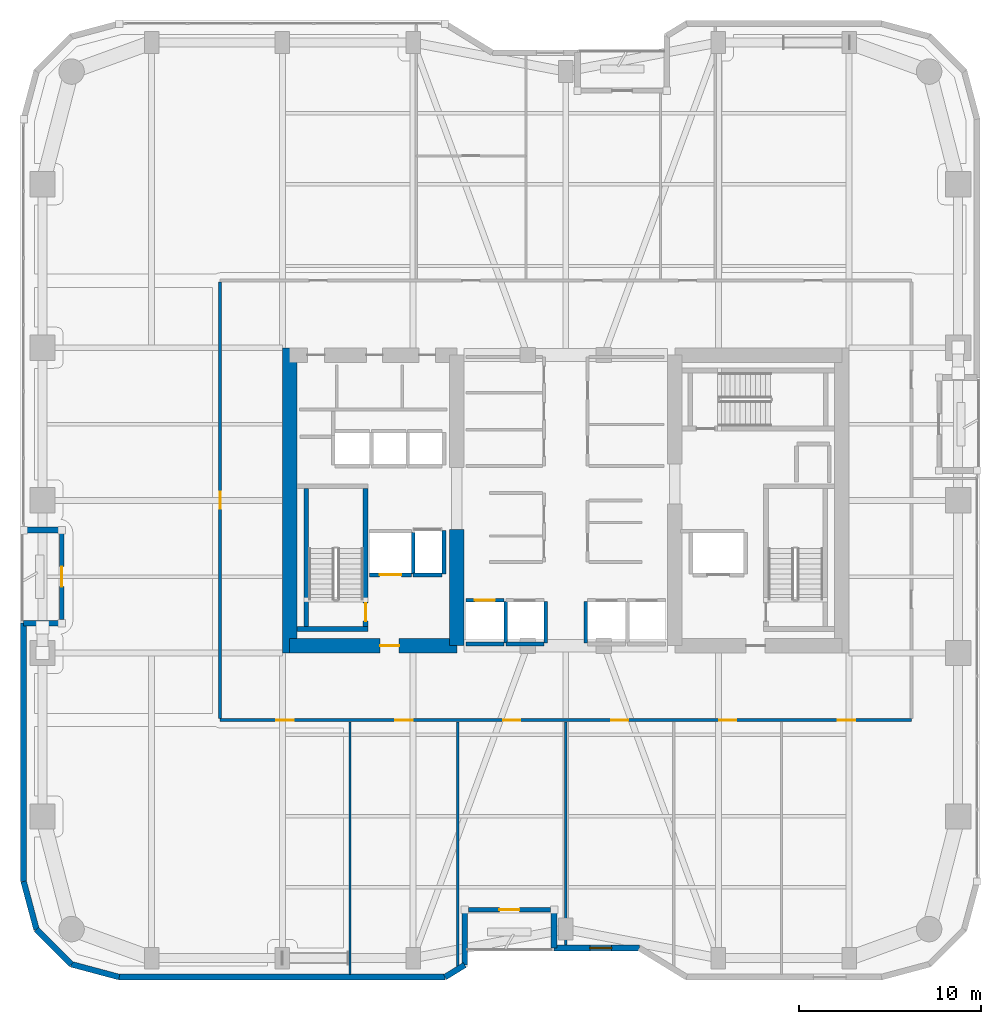
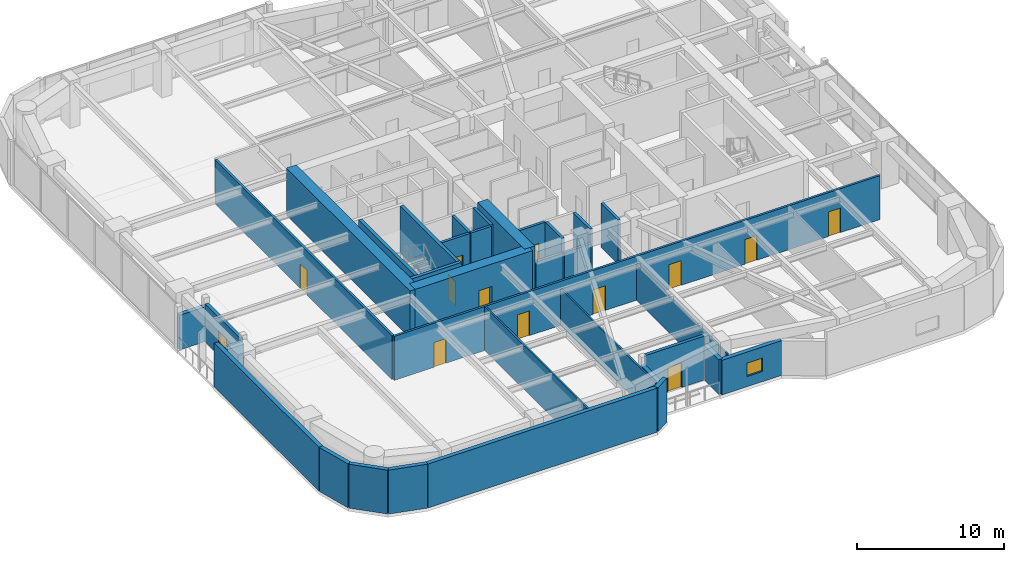
# One storey, part 18 of 24: 34 walls, 13 doors, 1 window, 14 openings.
"""IFC4 building model written with IfcOpenShell, lengths in metres."""

from ifc_helpers import new_model, si_unit, direction, frame, frame_2d, origin, place, context, subcontext, project, spatial, rectangle, extrude, material, layer, layer_set, type_object, element, fill, save


model = new_model("IFC4")

# Units and contexts
model_context = context("Model", 3, precision=1e-05, world=origin(), true_north=direction((0.0, 1.0)))
body_context = subcontext(model_context, "Body", "Model", "MODEL_VIEW")
ifc_project = project(units=[si_unit("LENGTHUNIT", "METRE"), si_unit("AREAUNIT", "SQUARE_METRE"), si_unit("VOLUMEUNIT", "CUBIC_METRE"), si_unit("PLANEANGLEUNIT", "RADIAN"), si_unit("MASSUNIT", "GRAM", prefix="KILO")], contexts=[model_context])

# Site, building, storey
site_placement = place(None, origin())
site = spatial("IfcSite", under=ifc_project, at=site_placement, CompositionType="ELEMENT")
building_placement = place(site_placement, origin())
building = spatial("IfcBuilding", under=site, at=building_placement, Name="Kiyonajd Concourse Tower", CompositionType="ELEMENT")
storey_placement = place(building_placement, frame((0.0, 0.0, 101.39990234375)))
storey = spatial("IfcBuildingStorey", under=building, at=storey_placement, Name="L26", CompositionType="ELEMENT", Elevation=101.39990234375)

# Walls
ifc_material_1 = material(Name="Concrete C70/85", Category="concrete")
ifc_layer_1 = layer(ifc_material_1, 0.800048828125)
ifc_layer_set_1 = layer_set([ifc_layer_1], Name="Concrete C70/85")
wall_type_1 = type_object("IfcWallType", Name="WL-CORE-800", PredefinedType="SHEAR", material=ifc_layer_set_1)
wall_1_placement = place(storey_placement, frame((32.800048828125, 27.60009765625, 0.0), z_axis=(0.0, 0.0, 1.0), x_axis=(0.0, 1.0, 0.0)))
element("IfcWall", 1, at=wall_1_placement, inside=storey, type_object=wall_type_1, Name="L26 West Core Outer Shear Wall", PredefinedType="SHEAR", context=body_context, shape_type="SweptSolid", body=[
    extrude(rectangle(XDim=16.7998046875, YDim=0.800048828125, at=frame_2d((8.39990234375, 0.0))), origin(), (0.0, 0.0, 1.0), 3.900146484375),
])
wall_2_placement = place(storey_placement, frame((42.0, 28.0, 0.0), z_axis=(0.0, 0.0, 1.0), x_axis=(0.0, 1.0, 0.0)))
element("IfcWall", 2, at=wall_2_placement, inside=storey, type_object=wall_type_1, Name="L26 West Core Inner South Shear Wall", PredefinedType="SHEAR", context=body_context, shape_type="SweptSolid", body=[
    extrude(rectangle(XDim=6.39990234375, YDim=0.800048828125, at=frame_2d((3.199951171875, 0.0))), origin(), (0.0, 0.0, 1.0), 3.900146484375),
])

# Wall, opening, door
wall_3_placement = place(storey_placement, frame((32.800048828125, 28.0, 0.0), z_axis=(0.0, 0.0, 1.0), x_axis=(1.0, 0.0, 0.0)))
wall_3 = element("IfcWall", 3, at=wall_3_placement, inside=storey, type_object=wall_type_1, Name="L26 West Core South Shear Wall", PredefinedType="SHEAR", context=body_context, shape_type="SweptSolid", body=[
    extrude(rectangle(XDim=9.199951171875, YDim=0.800048828125, at=frame_2d((4.60009765625, 0.0))), origin(), (0.0, 0.0, 1.0), 3.900146484375),
])
opening_1_placement = place(wall_3_placement, frame((4.97509765625, 0.0, 0.0)))
opening_1 = element("IfcOpeningElement", 4, at=opening_1_placement, cuts=wall_3, Name="Opening DF5", PredefinedType="OPENING", context=body_context, shape_type="SweptSolid", body=[
    extrude(rectangle(XDim=1.050048828125, YDim=2.0400390625, at=frame_2d((0.52490234375, 1.02001953125))), frame((0.0, 0.409912109375, 0.0), z_axis=(0.0, -1.0, 0.0), x_axis=(1.0, 0.0, 0.0)), (0.0, 0.0, 1.0), 0.820068359375),
])
ifc_material_2 = material(Name="Brushed Stainless Steel Cab Assembly", Category="steel")
door_type_1 = type_object("IfcDoorType", Name="DR-FD45-1050", OperationType="NOTDEFINED", PredefinedType="DOOR", material=ifc_material_2)
door_1_placement = place(opening_1_placement, origin())
door_1 = element("IfcDoor", 5, at=door_1_placement, inside=storey, type_object=door_type_1, Name="L26 Firefighting Lift Lobby W Smoke Door", OperationType="SINGLE_SWING_LEFT", OverallHeight=2.0400390625, OverallWidth=1.050048828125, PredefinedType="DOOR", context=body_context, shape_type="SweptSolid", body=[
    extrude(rectangle(XDim=1.050048828125, YDim=2.0400390625, at=frame_2d((0.52490234375, 1.02001953125))), frame((0.0, 0.02490234375, 0.0), z_axis=(0.0, -1.0, 0.0), x_axis=(1.0, 0.0, 0.0)), (0.0, 0.0, 1.0), 0.050048828125),
])
fill(opening_1, door_1)

# Walls
ifc_material_3 = material(Name="Precast concrete C50/60", Category="concrete")
ifc_layer_2 = layer(ifc_material_3, 0.320068359375)
ifc_layer_set_2 = layer_set([ifc_layer_2], Name="Precast concrete C50/60")
wall_type_2 = type_object("IfcWallType", Name="WL-EXT-320", PredefinedType="SOLIDWALL", material=ifc_layer_set_2)
wall_4_placement = place(storey_placement, frame((18.866455078125, 12.3828125, 0.0), z_axis=(0.0, 0.0, 1.0), x_axis=(-0.25869736047, 0.965958423373, 0.0)))
element("IfcWall", 6, at=wall_4_placement, inside=storey, type_object=wall_type_2, Name="L26 Exterior Concrete Frame Wall 00", PredefinedType="SOLIDWALL", context=body_context, shape_type="SweptSolid", body=[
    extrude(rectangle(XDim=2.731201171875, YDim=0.320068359375, at=frame_2d((1.36572265625, 0.0))), origin(), (0.0, 0.0, 1.0), 3.64013671875),
])
wall_5_placement = place(storey_placement, frame((18.159912109375, 15.02099609375, 0.0), z_axis=(0.0, 0.0, 1.0), x_axis=(0.0, 1.0, 0.0)))
element("IfcWall", 7, at=wall_5_placement, inside=storey, type_object=wall_type_2, Name="L26 Exterior Concrete Frame Wall 01", PredefinedType="SOLIDWALL", context=body_context, shape_type="SweptSolid", body=[
    extrude(rectangle(XDim=14.218994140625, YDim=0.320068359375, at=frame_2d((7.109375, 0.0))), origin(), (0.0, 0.0, 1.0), 3.64013671875),
])
for number, where, z_axis, x_axis, name in (
    (8, (18.159912109375, 29.239990234375, 0.0), (0.0, 0.0, 1.0), (1.0, 0.0, 0.0), "L26 Exterior Concrete Frame Wall 02"),
    (9, (20.260009765625, 34.360107421875, 0.0), (0.0, 0.0, 1.0), (-1.0, 0.0, 0.0), "L26 Exterior Concrete Frame Wall 04"),
):
    element("IfcWall", number, at=place(storey_placement, frame(where, z_axis=z_axis, x_axis=x_axis)), inside=storey, type_object=wall_type_2, Name=name, PredefinedType="SOLIDWALL", context=body_context, shape_type="SweptSolid", body=[
        extrude(rectangle(XDim=2.10009765625, YDim=0.320068359375, at=frame_2d((1.050048828125, 0.0))), origin(), (0.0, 0.0, 1.0), 2.875),
    ])

# Wall, opening, window
wall_6_placement = place(storey_placement, frame((52.04541015625, 11.360107421875, 0.0), z_axis=(0.0, 0.0, 1.0), x_axis=(-1.0, 0.0, 0.0)))
wall_6 = element("IfcWall", 10, at=wall_6_placement, inside=storey, type_object=wall_type_2, Name="L26 Exterior Concrete Frame Wall 30", PredefinedType="SOLIDWALL", context=body_context, shape_type="SweptSolid", body=[
    extrude(rectangle(XDim=4.685302734375, YDim=0.320068359375, at=frame_2d((2.3427734375, 0.0))), origin(), (0.0, 0.0, 1.0), 2.875),
])
opening_2_placement = place(wall_6_placement, frame((1.51806640625, 0.0, 0.85009765625)))
opening_2 = element("IfcOpeningElement", 11, at=opening_2_placement, cuts=wall_6, Name="Opening WN3", PredefinedType="OPENING", context=body_context, shape_type="SweptSolid", body=[
    extrude(rectangle(XDim=1.199951171875, YDim=1.10009765625, at=frame_2d((0.60009765625, 0.550048828125))), frame((0.0, 0.169921875, 0.0), z_axis=(0.0, -1.0, 0.0), x_axis=(1.0, 0.0, 0.0)), (0.0, 0.0, 1.0), 0.340087890625),
])
ifc_material_4 = material(Name="Double Low-E Insulated Glass", Category="glass")
window_type = type_object("IfcWindowType", Name="WN-VIS-1200x1100", PartitioningType="SINGLE_PANEL", PredefinedType="WINDOW", material=ifc_material_4)
window_placement = place(opening_2_placement, origin())
window = element("IfcWindow", 12, at=window_placement, inside=storey, type_object=window_type, Name="L26 Modular Facade Vision Window 30", OverallHeight=1.10009765625, OverallWidth=1.199951171875, PartitioningType="SINGLE_PANEL", PredefinedType="WINDOW", context=body_context, shape_type="SweptSolid", body=[
    extrude(rectangle(XDim=1.199951171875, YDim=1.10009765625, at=frame_2d((0.60009765625, 0.550048828125))), frame((0.0, 0.030029296875, 0.0), z_axis=(0.0, -1.0, 0.0), x_axis=(1.0, 0.0, 0.0)), (0.0, 0.0, 1.0), 0.06005859375),
])
fill(opening_2, window)

# Walls
wall_7_placement = place(storey_placement, frame((47.360107421875, 11.360107421875, 0.0), z_axis=(0.0, 0.0, 1.0), x_axis=(0.0, 1.0, 0.0)))
element("IfcWall", 13, at=wall_7_placement, inside=storey, type_object=wall_type_2, Name="L26 Exterior Concrete Frame Wall 31", PredefinedType="SOLIDWALL", context=body_context, shape_type="SweptSolid", body=[
    extrude(rectangle(XDim=2.099853515625, YDim=0.320068359375, at=frame_2d((1.0498046875, 0.0))), origin(), (0.0, 0.0, 1.0), 2.875),
])
wall_8_placement = place(storey_placement, frame((42.43994140625, 13.4599609375, 0.0), z_axis=(0.0, 0.0, 1.0), x_axis=(0.0, -1.0, 0.0)))
element("IfcWall", 14, at=wall_8_placement, inside=storey, type_object=wall_type_2, Name="L26 Exterior Concrete Frame Wall 33", PredefinedType="SOLIDWALL", context=body_context, shape_type="SweptSolid", body=[
    extrude(rectangle(XDim=3.032470703125, YDim=0.320068359375, at=frame_2d((1.51611328125, 0.0))), origin(), (0.0, 0.0, 1.0), 2.875),
])
wall_9_placement = place(storey_placement, frame((42.43994140625, 10.427490234375, 0.0), z_axis=(0.0, 0.0, 1.0), x_axis=(-0.851776724646, -0.523904964045, 0.0)))
element("IfcWall", 15, at=wall_9_placement, inside=storey, type_object=wall_type_2, Name="L26 Exterior Concrete Frame Wall 34", PredefinedType="SOLIDWALL", context=body_context, shape_type="SweptSolid", body=[
    extrude(rectangle(XDim=1.274169921875, YDim=0.320068359375, at=frame_2d((0.63720703125, 0.0))), origin(), (0.0, 0.0, 1.0), 3.64013671875),
])
wall_10_placement = place(storey_placement, frame((41.354736328125, 9.760009765625, 0.0), z_axis=(0.0, 0.0, 1.0), x_axis=(-1.0, 0.0, 0.0)))
element("IfcWall", 16, at=wall_10_placement, inside=storey, type_object=wall_type_2, Name="L26 Exterior Concrete Frame Wall 35", PredefinedType="SOLIDWALL", context=body_context, shape_type="SweptSolid", body=[
    extrude(rectangle(XDim=17.93359375, YDim=0.320068359375, at=frame_2d((8.966796875, 0.0))), origin(), (0.0, 0.0, 1.0), 3.64013671875),
])
wall_11_placement = place(storey_placement, frame((23.421142578125, 9.760009765625, 0.0), z_axis=(0.0, 0.0, 1.0), x_axis=(-0.965964405026, 0.25867502435, 0.0)))
element("IfcWall", 17, at=wall_11_placement, inside=storey, type_object=wall_type_2, Name="L26 Exterior Concrete Frame Wall 36", PredefinedType="SOLIDWALL", context=body_context, shape_type="SweptSolid", body=[
    extrude(rectangle(XDim=2.7314453125, YDim=0.320068359375, at=frame_2d((1.36572265625, 0.0))), origin(), (0.0, 0.0, 1.0), 3.64013671875),
])
wall_12_placement = place(storey_placement, frame((20.78271484375, 10.466552734375, 0.0), z_axis=(0.0, 0.0, 1.0), x_axis=(-0.707106781187, 0.707106781187, 0.0)))
element("IfcWall", 18, at=wall_12_placement, inside=storey, type_object=wall_type_2, Name="L26 Exterior Concrete Frame Wall 37", PredefinedType="SOLIDWALL", context=body_context, shape_type="SweptSolid", body=[
    extrude(rectangle(XDim=2.7099609375, YDim=0.320068359375, at=frame_2d((1.35498046875, 0.0))), origin(), (0.0, 0.0, 1.0), 3.64013671875),
])

# Wall, opening, door
ifc_layer_3 = layer(ifc_material_3, 0.239990234375)
ifc_layer_set_3 = layer_set([ifc_layer_3], Name="Precast concrete C50/60")
wall_type_3 = type_object("IfcWallType", Name="WL-LOG-240", PredefinedType="SOLIDWALL", material=ifc_layer_set_3)
wall_13_placement = place(storey_placement, frame((20.260009765625, 29.43505859375, 0.0), z_axis=(0.0, 0.0, 1.0), x_axis=(0.0, 1.0, 0.0)))
wall_13 = element("IfcWall", 19, at=wall_13_placement, inside=storey, type_object=wall_type_3, Name="L26 Recessed Loggia Thermal Wall LOG-W", PredefinedType="SOLIDWALL", context=body_context, shape_type="SweptSolid", body=[
    extrude(rectangle(XDim=4.72998046875, YDim=0.239990234375, at=frame_2d((2.364990234375, 0.0))), origin(), (0.0, 0.0, 1.0), 3.162109375),
])
opening_3_placement = place(wall_13_placement, frame((1.81494140625, 0.0, 0.0)))
opening_3 = element("IfcOpeningElement", 20, at=opening_3_placement, cuts=wall_13, Name="Opening DL2", PredefinedType="OPENING", context=body_context, shape_type="SweptSolid", body=[
    extrude(rectangle(XDim=1.10009765625, YDim=2.0400390625, at=frame_2d((0.550048828125, 1.02001953125))), frame((0.0, 0.1298828125, 0.0), z_axis=(0.0, -1.0, 0.0), x_axis=(1.0, 0.0, 0.0)), (0.0, 0.0, 1.0), 0.260009765625),
])
ifc_material_5 = material(Name="Thermally Broken Anodised Aluminium", Category="aluminium")
door_type_2 = type_object("IfcDoorType", Name="DR-LOG-1100", OperationType="NOTDEFINED", PredefinedType="DOOR", material=ifc_material_5)
door_2_placement = place(opening_3_placement, origin())
door_2 = element("IfcDoor", 21, at=door_2_placement, inside=storey, type_object=door_type_2, Name="L26 Engawa Loggia Access Door LOG-W", OperationType="SINGLE_SWING_LEFT", OverallHeight=2.0400390625, OverallWidth=1.10009765625, PredefinedType="DOOR", context=body_context, shape_type="SweptSolid", body=[
    extrude(rectangle(XDim=1.10009765625, YDim=2.0400390625, at=frame_2d((0.550048828125, 1.02001953125))), frame((0.0, 0.02490234375, 0.0), z_axis=(0.0, -1.0, 0.0), x_axis=(1.0, 0.0, 0.0)), (0.0, 0.0, 1.0), 0.050048828125),
])
fill(opening_3, door_2)

wall_14_placement = place(storey_placement, frame((47.1650390625, 13.4599609375, 0.0), z_axis=(0.0, 0.0, 1.0), x_axis=(-1.0, 0.0, 0.0)))
wall_14 = element("IfcWall", 22, at=wall_14_placement, inside=storey, type_object=wall_type_3, Name="L26 Recessed Loggia Thermal Wall LOG-S", PredefinedType="SOLIDWALL", context=body_context, shape_type="SweptSolid", body=[
    extrude(rectangle(XDim=4.530029296875, YDim=0.239990234375, at=frame_2d((2.26513671875, 0.0))), origin(), (0.0, 0.0, 1.0), 3.64013671875),
])
opening_4_placement = place(wall_14_placement, frame((1.715087890625, 0.0, 0.0)))
opening_4 = element("IfcOpeningElement", 23, at=opening_4_placement, cuts=wall_14, Name="Opening DL2", PredefinedType="OPENING", context=body_context, shape_type="SweptSolid", body=[
    extrude(rectangle(XDim=1.10009765625, YDim=2.0400390625, at=frame_2d((0.550048828125, 1.02001953125))), frame((0.0, 0.1298828125, 0.0), z_axis=(0.0, -1.0, 0.0), x_axis=(1.0, 0.0, 0.0)), (0.0, 0.0, 1.0), 0.260009765625),
])
door_3_placement = place(opening_4_placement, origin())
door_3 = element("IfcDoor", 24, at=door_3_placement, inside=storey, type_object=door_type_2, Name="L26 Engawa Loggia Access Door LOG-S", OperationType="SINGLE_SWING_RIGHT", OverallHeight=2.0400390625, OverallWidth=1.10009765625, PredefinedType="DOOR", context=body_context, shape_type="SweptSolid", body=[
    extrude(rectangle(XDim=1.10009765625, YDim=2.0400390625, at=frame_2d((0.550048828125, 1.02001953125))), frame((0.0, 0.02490234375, 0.0), z_axis=(0.0, -1.0, 0.0), x_axis=(1.0, 0.0, 0.0)), (0.0, 0.0, 1.0), 0.050048828125),
])
fill(opening_4, door_3)

# Walls
ifc_material_6 = material(Name="Gypsum Board on Cold-Formed Steel Stud", Category="steel")
ifc_layer_4 = layer(ifc_material_6, 0.125)
ifc_layer_set_4 = layer_set([ifc_layer_4], Name="Gypsum Board on Cold-Formed Steel Stud")
wall_type_4 = type_object("IfcWallType", Name="WL-PART-125", PredefinedType="PARTITIONING", material=ifc_layer_set_4)
wall_15_placement = place(storey_placement, frame((36.1201171875, 9.9150390625, 0.0), z_axis=(0.0, 0.0, 1.0), x_axis=(0.0, 1.0, 0.0)))
element("IfcWall", 25, at=wall_15_placement, inside=storey, type_object=wall_type_4, Name="L26 Interior Partition Wall", PredefinedType="PARTITIONING", context=body_context, shape_type="SweptSolid", body=[
    extrude(rectangle(XDim=13.89794921875, YDim=0.125, at=frame_2d((6.948974609375, 0.0))), origin(), (0.0, 0.0, 1.0), 3.64013671875),
])
wall_16_placement = place(storey_placement, frame((42.06005859375, 10.34912109375, 0.0), z_axis=(0.0, 0.0, 1.0), x_axis=(0.0, 1.0, 0.0)))
element("IfcWall", 26, at=wall_16_placement, inside=storey, type_object=wall_type_4, Name="L26 Interior Partition Wall", PredefinedType="PARTITIONING", context=body_context, shape_type="SweptSolid", body=[
    extrude(rectangle(XDim=13.4638671875, YDim=0.125, at=frame_2d((6.73193359375, 0.0))), origin(), (0.0, 0.0, 1.0), 3.003173828125),
])
wall_17_placement = place(storey_placement, frame((48.0, 11.514892578125, 0.0), z_axis=(0.0, 0.0, 1.0), x_axis=(0.0, 1.0, 0.0)))
element("IfcWall", 27, at=wall_17_placement, inside=storey, type_object=wall_type_4, Name="L26 Interior Partition Wall", PredefinedType="PARTITIONING", context=body_context, shape_type="SweptSolid", body=[
    extrude(rectangle(XDim=12.298095703125, YDim=0.125, at=frame_2d((6.14892578125, 0.0))), origin(), (0.0, 0.0, 1.0), 3.003173828125),
])

# Wall, opening, door
ifc_layer_5 = layer(ifc_material_6, 0.2099609375)
ifc_layer_set_5 = layer_set([ifc_layer_5], Name="Gypsum Board on Cold-Formed Steel Stud")
wall_type_5 = type_object("IfcWallType", Name="WL-SHAFT-210", PredefinedType="PARTITIONING", material=ifc_layer_set_5)
wall_18_placement = place(storey_placement, frame((37.199951171875, 31.89990234375, 0.0), z_axis=(0.0, 0.0, 1.0), x_axis=(1.0, 0.0, 0.0)))
wall_18 = element("IfcWall", 28, at=wall_18_placement, inside=storey, type_object=wall_type_5, Name="L26 Shaft Enclosure Wall", PredefinedType="PARTITIONING", context=body_context, shape_type="SweptSolid", body=[
    extrude(rectangle(XDim=2.300048828125, YDim=0.2099609375, at=frame_2d((1.14990234375, 0.0))), origin(), (0.0, 0.0, 1.0), 3.64013671875),
])
opening_5_placement = place(wall_18_placement, frame((0.550048828125, 0.0, 0.0)))
opening_5 = element("IfcOpeningElement", 29, at=opening_5_placement, cuts=wall_18, Name="Opening LD2", PredefinedType="OPENING", context=body_context, shape_type="SweptSolid", body=[
    extrude(rectangle(XDim=1.199951171875, YDim=2.0400390625, at=frame_2d((0.60009765625, 1.02001953125))), frame((0.0, 0.114990234375, 0.0), z_axis=(0.0, -1.0, 0.0), x_axis=(1.0, 0.0, 0.0)), (0.0, 0.0, 1.0), 0.22998046875),
])
door_type_3 = type_object("IfcDoorType", Name="DR-LD-1200", OperationType="DOUBLE_DOOR_SLIDING", PredefinedType="DOOR", material=ifc_material_2)
door_4_placement = place(opening_5_placement, origin())
door_4 = element("IfcDoor", 30, at=door_4_placement, inside=storey, type_object=door_type_3, Name="L26 Lift FFL1 Sliding Landing Door", OperationType="DOUBLE_DOOR_SLIDING", OverallHeight=2.0400390625, OverallWidth=1.199951171875, PredefinedType="DOOR", context=body_context, shape_type="SweptSolid", body=[
    extrude(rectangle(XDim=1.199951171875, YDim=2.0400390625, at=frame_2d((0.60009765625, 1.02001953125))), frame((0.0, 0.02490234375, 0.0), z_axis=(0.0, -1.0, 0.0), x_axis=(1.0, 0.0, 0.0)), (0.0, 0.0, 1.0), 0.050048828125),
])
fill(opening_5, door_4)

# Walls
wall_19_placement = place(storey_placement, frame((39.60009765625, 31.9599609375, 0.0), z_axis=(0.0, 0.0, 1.0), x_axis=(0.0, 1.0, 0.0)))
element("IfcWall", 31, at=wall_19_placement, inside=storey, type_object=wall_type_5, Name="L26 Shaft Enclosure Wall", PredefinedType="PARTITIONING", context=body_context, shape_type="SweptSolid", body=[
    extrude(rectangle(XDim=2.280029296875, YDim=0.2099609375, at=frame_2d((1.14013671875, 0.0))), origin(), (0.0, 0.0, 1.0), 3.64013671875),
])
wall_20_placement = place(storey_placement, frame((39.60009765625, 31.89990234375, 0.0), z_axis=(0.0, 0.0, 1.0), x_axis=(1.0, 0.0, 0.0)))
element("IfcWall", 32, at=wall_20_placement, inside=storey, type_object=wall_type_5, Name="L26 Shaft Enclosure Wall", PredefinedType="PARTITIONING", context=body_context, shape_type="SweptSolid", body=[
    extrude(rectangle(XDim=1.599853515625, YDim=0.2099609375, at=frame_2d((0.7998046875, 0.0))), origin(), (0.0, 0.0, 1.0), 3.64013671875),
])
wall_21_placement = place(storey_placement, frame((41.300048828125, 31.9599609375, 0.0), z_axis=(0.0, 0.0, 1.0), x_axis=(0.0, 1.0, 0.0)))
element("IfcWall", 33, at=wall_21_placement, inside=storey, type_object=wall_type_5, Name="L26 Shaft Enclosure Wall", PredefinedType="PARTITIONING", context=body_context, shape_type="SweptSolid", body=[
    extrude(rectangle(XDim=2.380126953125, YDim=0.2099609375, at=frame_2d((1.18994140625, 0.0))), origin(), (0.0, 0.0, 1.0), 3.64013671875),
])

# Wall, opening, door
wall_22_placement = place(storey_placement, frame((42.5, 30.5, 0.0), z_axis=(0.0, 0.0, 1.0), x_axis=(1.0, 0.0, 0.0)))
wall_22 = element("IfcWall", 34, at=wall_22_placement, inside=storey, type_object=wall_type_5, Name="L26 Shaft Enclosure Wall", PredefinedType="PARTITIONING", context=body_context, shape_type="SweptSolid", body=[
    extrude(rectangle(XDim=2.10009765625, YDim=0.2099609375, at=frame_2d((1.050048828125, 0.0))), origin(), (0.0, 0.0, 1.0), 3.64013671875),
])
opening_6_placement = place(wall_22_placement, frame((0.5, 0.0, 0.0)))
opening_6 = element("IfcOpeningElement", 35, at=opening_6_placement, cuts=wall_22, Name="Opening LD1", PredefinedType="OPENING", context=body_context, shape_type="SweptSolid", body=[
    extrude(rectangle(XDim=1.10009765625, YDim=2.0400390625, at=frame_2d((0.550048828125, 1.02001953125))), frame((0.0, 0.114990234375, 0.0), z_axis=(0.0, -1.0, 0.0), x_axis=(1.0, 0.0, 0.0)), (0.0, 0.0, 1.0), 0.22998046875),
])
door_type_4 = type_object("IfcDoorType", Name="DR-LD-1100", OperationType="DOUBLE_DOOR_SLIDING", PredefinedType="DOOR", material=ifc_material_2)
door_5_placement = place(opening_6_placement, origin())
door_5 = element("IfcDoor", 36, at=door_5_placement, inside=storey, type_object=door_type_4, Name="L26 Lift PL-L1 Sliding Landing Door", OperationType="DOUBLE_DOOR_SLIDING", OverallHeight=2.0400390625, OverallWidth=1.10009765625, PredefinedType="DOOR", context=body_context, shape_type="SweptSolid", body=[
    extrude(rectangle(XDim=1.10009765625, YDim=2.0400390625, at=frame_2d((0.550048828125, 1.02001953125))), frame((0.0, 0.02490234375, 0.0), z_axis=(0.0, -1.0, 0.0), x_axis=(1.0, 0.0, 0.0)), (0.0, 0.0, 1.0), 0.050048828125),
])
fill(opening_6, door_5)

# Walls
wall_23_placement = place(storey_placement, frame((42.5, 28.10009765625, 0.0), z_axis=(0.0, 0.0, 1.0), x_axis=(1.0, 0.0, 0.0)))
element("IfcWall", 37, at=wall_23_placement, inside=storey, type_object=wall_type_5, Name="L26 Shaft Enclosure Wall", PredefinedType="PARTITIONING", context=body_context, shape_type="SweptSolid", body=[
    extrude(rectangle(XDim=2.10009765625, YDim=0.2099609375, at=frame_2d((1.050048828125, 0.0))), origin(), (0.0, 0.0, 1.0), 2.525146484375),
])
wall_24_placement = place(storey_placement, frame((44.699951171875, 28.159912109375, 0.0), z_axis=(0.0, 0.0, 1.0), x_axis=(0.0, 1.0, 0.0)))
element("IfcWall", 38, at=wall_24_placement, inside=storey, type_object=wall_type_5, Name="L26 Shaft Enclosure Wall", PredefinedType="PARTITIONING", context=body_context, shape_type="SweptSolid", body=[
    extrude(rectangle(XDim=2.280029296875, YDim=0.2099609375, at=frame_2d((1.14013671875, 0.0))), origin(), (0.0, 0.0, 1.0), 3.64013671875),
])
wall_25_placement = place(storey_placement, frame((44.699951171875, 28.10009765625, 0.0), z_axis=(0.0, 0.0, 1.0), x_axis=(1.0, 0.0, 0.0)))
element("IfcWall", 39, at=wall_25_placement, inside=storey, type_object=wall_type_5, Name="L26 Shaft Enclosure Wall", PredefinedType="PARTITIONING", context=body_context, shape_type="SweptSolid", body=[
    extrude(rectangle(XDim=2.10009765625, YDim=0.2099609375, at=frame_2d((1.050048828125, 0.0))), origin(), (0.0, 0.0, 1.0), 2.525146484375),
])
for number, where, z_axis, x_axis, name in (
    (40, (46.89990234375, 28.159912109375, 0.0), (0.0, 0.0, 1.0), (0.0, 1.0, 0.0), "L26 Shaft Enclosure Wall"),
    (41, (49.10009765625, 28.159912109375, 0.0), (0.0, 0.0, 1.0), (0.0, 1.0, 0.0), "L26 Shaft Enclosure Wall"),
):
    element("IfcWall", number, at=place(storey_placement, frame(where, z_axis=z_axis, x_axis=x_axis)), inside=storey, type_object=wall_type_5, Name=name, PredefinedType="PARTITIONING", context=body_context, shape_type="SweptSolid", body=[
        extrude(rectangle(XDim=2.280029296875, YDim=0.2099609375, at=frame_2d((1.14013671875, 0.0))), origin(), (0.0, 0.0, 1.0), 3.64013671875),
    ])

# Wall, openings, doors
ifc_layer_6 = layer(ifc_material_6, 0.169921875)
ifc_layer_set_6 = layer_set([ifc_layer_6], Name="Gypsum Board on Cold-Formed Steel Stud")
wall_type_6 = type_object("IfcWallType", Name="WL-SMK-170", PredefinedType="PARTITIONING", material=ifc_layer_set_6)
wall_26_placement = place(storey_placement, frame((28.97509765625, 23.89990234375, 0.0), z_axis=(0.0, 0.0, 1.0), x_axis=(1.0, 0.0, 0.0)))
wall_26 = element("IfcWall", 42, at=wall_26_placement, inside=storey, type_object=wall_type_6, Name="L26 Interior Partition Wall", PredefinedType="PARTITIONING", context=body_context, shape_type="SweptSolid", body=[
    extrude(rectangle(XDim=38.0498046875, YDim=0.169921875, at=frame_2d((19.02490234375, 0.0))), origin(), (0.0, 0.0, 1.0), 3.64013671875),
])
opening_7_placement = place(wall_26_placement, frame((3.096923828125, 0.0, 0.0)))
opening_7 = element("IfcOpeningElement", 43, at=opening_7_placement, cuts=wall_26, Name="Opening DI1", PredefinedType="OPENING", context=body_context, shape_type="SweptSolid", body=[
    extrude(rectangle(XDim=0.949951171875, YDim=2.0400390625, at=frame_2d((0.47509765625, 1.02001953125))), frame((0.0, 0.094970703125, 0.0), z_axis=(0.0, -1.0, 0.0), x_axis=(1.0, 0.0, 0.0)), (0.0, 0.0, 1.0), 0.18994140625),
])
opening_8_placement = place(wall_26_placement, frame((9.639892578125, 0.0, 0.0)))
opening_8 = element("IfcOpeningElement", 44, at=opening_8_placement, cuts=wall_26, Name="Opening DI1", PredefinedType="OPENING", context=body_context, shape_type="SweptSolid", body=[
    extrude(rectangle(XDim=0.949951171875, YDim=2.0400390625, at=frame_2d((0.47509765625, 1.02001953125))), frame((0.0, 0.094970703125, 0.0), z_axis=(0.0, -1.0, 0.0), x_axis=(1.0, 0.0, 0.0)), (0.0, 0.0, 1.0), 0.18994140625),
])
opening_9_placement = place(wall_26_placement, frame((15.580078125, 0.0, 0.0)))
opening_9 = element("IfcOpeningElement", 45, at=opening_9_placement, cuts=wall_26, Name="Opening DI1", PredefinedType="OPENING", context=body_context, shape_type="SweptSolid", body=[
    extrude(rectangle(XDim=0.949951171875, YDim=2.0400390625, at=frame_2d((0.47509765625, 1.02001953125))), frame((0.0, 0.094970703125, 0.0), z_axis=(0.0, -1.0, 0.0), x_axis=(1.0, 0.0, 0.0)), (0.0, 0.0, 1.0), 0.18994140625),
])
opening_10_placement = place(wall_26_placement, frame((21.52001953125, 0.0, 0.0)))
opening_10 = element("IfcOpeningElement", 46, at=opening_10_placement, cuts=wall_26, Name="Opening DI1", PredefinedType="OPENING", context=body_context, shape_type="SweptSolid", body=[
    extrude(rectangle(XDim=0.949951171875, YDim=2.0400390625, at=frame_2d((0.47509765625, 1.02001953125))), frame((0.0, 0.094970703125, 0.0), z_axis=(0.0, -1.0, 0.0), x_axis=(1.0, 0.0, 0.0)), (0.0, 0.0, 1.0), 0.18994140625),
])
opening_11_placement = place(wall_26_placement, frame((27.4599609375, 0.0, 0.0)))
opening_11 = element("IfcOpeningElement", 47, at=opening_11_placement, cuts=wall_26, Name="Opening DI1", PredefinedType="OPENING", context=body_context, shape_type="SweptSolid", body=[
    extrude(rectangle(XDim=0.949951171875, YDim=2.0400390625, at=frame_2d((0.47509765625, 1.02001953125))), frame((0.0, 0.094970703125, 0.0), z_axis=(0.0, -1.0, 0.0), x_axis=(1.0, 0.0, 0.0)), (0.0, 0.0, 1.0), 0.18994140625),
])
opening_12_placement = place(wall_26_placement, frame((34.0029296875, 0.0, 0.0)))
opening_12 = element("IfcOpeningElement", 48, at=opening_12_placement, cuts=wall_26, Name="Opening DI1", PredefinedType="OPENING", context=body_context, shape_type="SweptSolid", body=[
    extrude(rectangle(XDim=0.949951171875, YDim=2.0400390625, at=frame_2d((0.47509765625, 1.02001953125))), frame((0.0, 0.094970703125, 0.0), z_axis=(0.0, -1.0, 0.0), x_axis=(1.0, 0.0, 0.0)), (0.0, 0.0, 1.0), 0.18994140625),
])
ifc_material_7 = material(Name="Natural Oak Acoustic Timber Veneer", Category="wood")
door_type_5 = type_object("IfcDoorType", Name="DR-INT-950", OperationType="NOTDEFINED", PredefinedType="DOOR", material=ifc_material_7)
door_6_placement = place(opening_7_placement, origin())
door_6 = element("IfcDoor", 49, at=door_6_placement, inside=storey, type_object=door_type_5, Name="L26 Interior Door", OperationType="SINGLE_SWING_LEFT", OverallHeight=2.0400390625, OverallWidth=0.949951171875, PredefinedType="DOOR", context=body_context, shape_type="SweptSolid", body=[
    extrude(rectangle(XDim=0.949951171875, YDim=2.0400390625, at=frame_2d((0.47509765625, 1.02001953125))), frame((0.0, 0.02490234375, 0.0), z_axis=(0.0, -1.0, 0.0), x_axis=(1.0, 0.0, 0.0)), (0.0, 0.0, 1.0), 0.050048828125),
])
fill(opening_7, door_6)
door_7_placement = place(opening_8_placement, origin())
door_7 = element("IfcDoor", 50, at=door_7_placement, inside=storey, type_object=door_type_5, Name="L26 Interior Door", OperationType="SINGLE_SWING_RIGHT", OverallHeight=2.0400390625, OverallWidth=0.949951171875, PredefinedType="DOOR", context=body_context, shape_type="SweptSolid", body=[
    extrude(rectangle(XDim=0.949951171875, YDim=2.0400390625, at=frame_2d((0.47509765625, 1.02001953125))), frame((0.0, 0.02490234375, 0.0), z_axis=(0.0, -1.0, 0.0), x_axis=(1.0, 0.0, 0.0)), (0.0, 0.0, 1.0), 0.050048828125),
])
fill(opening_8, door_7)
door_8_placement = place(opening_9_placement, origin())
door_8 = element("IfcDoor", 51, at=door_8_placement, inside=storey, type_object=door_type_5, Name="L26 Interior Door", OperationType="SINGLE_SWING_LEFT", OverallHeight=2.0400390625, OverallWidth=0.949951171875, PredefinedType="DOOR", context=body_context, shape_type="SweptSolid", body=[
    extrude(rectangle(XDim=0.949951171875, YDim=2.0400390625, at=frame_2d((0.47509765625, 1.02001953125))), frame((0.0, 0.02490234375, 0.0), z_axis=(0.0, -1.0, 0.0), x_axis=(1.0, 0.0, 0.0)), (0.0, 0.0, 1.0), 0.050048828125),
])
fill(opening_9, door_8)
door_9_placement = place(opening_10_placement, origin())
door_9 = element("IfcDoor", 52, at=door_9_placement, inside=storey, type_object=door_type_5, Name="L26 Interior Door", OperationType="SINGLE_SWING_RIGHT", OverallHeight=2.0400390625, OverallWidth=0.949951171875, PredefinedType="DOOR", context=body_context, shape_type="SweptSolid", body=[
    extrude(rectangle(XDim=0.949951171875, YDim=2.0400390625, at=frame_2d((0.47509765625, 1.02001953125))), frame((0.0, 0.02490234375, 0.0), z_axis=(0.0, -1.0, 0.0), x_axis=(1.0, 0.0, 0.0)), (0.0, 0.0, 1.0), 0.050048828125),
])
fill(opening_10, door_9)
door_10_placement = place(opening_11_placement, origin())
door_10 = element("IfcDoor", 53, at=door_10_placement, inside=storey, type_object=door_type_5, Name="L26 Interior Door", OperationType="SINGLE_SWING_LEFT", OverallHeight=2.0400390625, OverallWidth=0.949951171875, PredefinedType="DOOR", context=body_context, shape_type="SweptSolid", body=[
    extrude(rectangle(XDim=0.949951171875, YDim=2.0400390625, at=frame_2d((0.47509765625, 1.02001953125))), frame((0.0, 0.02490234375, 0.0), z_axis=(0.0, -1.0, 0.0), x_axis=(1.0, 0.0, 0.0)), (0.0, 0.0, 1.0), 0.050048828125),
])
fill(opening_11, door_10)
door_11_placement = place(opening_12_placement, origin())
door_11 = element("IfcDoor", 54, at=door_11_placement, inside=storey, type_object=door_type_5, Name="L26 Interior Door", OperationType="SINGLE_SWING_RIGHT", OverallHeight=2.0400390625, OverallWidth=0.949951171875, PredefinedType="DOOR", context=body_context, shape_type="SweptSolid", body=[
    extrude(rectangle(XDim=0.949951171875, YDim=2.0400390625, at=frame_2d((0.47509765625, 1.02001953125))), frame((0.0, 0.02490234375, 0.0), z_axis=(0.0, -1.0, 0.0), x_axis=(1.0, 0.0, 0.0)), (0.0, 0.0, 1.0), 0.050048828125),
])
fill(opening_12, door_11)

# Wall, opening, door
wall_27_placement = place(storey_placement, frame((28.97509765625, 23.987060546875, 0.0), z_axis=(0.0, 0.0, 1.0), x_axis=(0.0, 1.0, 0.0)))
wall_27 = element("IfcWall", 55, at=wall_27_placement, inside=storey, type_object=wall_type_6, Name="L26 Interior Partition Wall", PredefinedType="PARTITIONING", context=body_context, shape_type="SweptSolid", body=[
    extrude(rectangle(XDim=24.02587890625, YDim=0.169921875, at=frame_2d((12.012939453125, 0.0))), origin(), (0.0, 0.0, 1.0), 3.64013671875),
])
opening_13_placement = place(wall_27_placement, frame((11.5380859375, 0.0, 0.0)))
opening_13 = element("IfcOpeningElement", 56, at=opening_13_placement, cuts=wall_27, Name="Opening DI1", PredefinedType="OPENING", context=body_context, shape_type="SweptSolid", body=[
    extrude(rectangle(XDim=0.949951171875, YDim=2.0400390625, at=frame_2d((0.47509765625, 1.02001953125))), frame((0.0, 0.094970703125, 0.0), z_axis=(0.0, -1.0, 0.0), x_axis=(1.0, 0.0, 0.0)), (0.0, 0.0, 1.0), 0.18994140625),
])
door_12_placement = place(opening_13_placement, origin())
door_12 = element("IfcDoor", 57, at=door_12_placement, inside=storey, type_object=door_type_5, Name="L26 Interior Door", OperationType="SINGLE_SWING_LEFT", OverallHeight=2.0400390625, OverallWidth=0.949951171875, PredefinedType="DOOR", context=body_context, shape_type="SweptSolid", body=[
    extrude(rectangle(XDim=0.949951171875, YDim=2.0400390625, at=frame_2d((0.47509765625, 1.02001953125))), frame((0.0, 0.02490234375, 0.0), z_axis=(0.0, -1.0, 0.0), x_axis=(1.0, 0.0, 0.0)), (0.0, 0.0, 1.0), 0.050048828125),
])
fill(opening_13, door_12)

# Walls
ifc_material_8 = material(Name="Concrete C50/60", Category="concrete")
ifc_layer_7 = layer(ifc_material_8, 0.260009765625)
ifc_layer_set_7 = layer_set([ifc_layer_7], Name="Concrete C50/60")
wall_type_7 = type_object("IfcWallType", Name="WL-STAIR-260", PredefinedType="SHEAR", material=ifc_layer_set_7)
wall_28_placement = place(storey_placement, frame((33.199951171875, 28.919921875, 0.0), z_axis=(0.0, 0.0, 1.0), x_axis=(1.0, 0.0, 0.0)))
element("IfcWall", 58, at=wall_28_placement, inside=storey, type_object=wall_type_7, Name="L26 Stair ST1 Structural South Wall", PredefinedType="SHEAR", context=body_context, shape_type="SweptSolid", body=[
    extrude(rectangle(XDim=3.91015625, YDim=0.260009765625, at=frame_2d((1.955078125, 0.0))), origin(), (0.0, 0.0, 1.0), 3.900146484375),
])
wall_29_placement = place(storey_placement, frame((33.719970703125, 29.050048828125, 0.0), z_axis=(0.0, 0.0, 1.0), x_axis=(0.0, 1.0, 0.0)))
element("IfcWall", 59, at=wall_29_placement, inside=storey, type_object=wall_type_7, Name="L26 Stair ST1 Structural West Wall", PredefinedType="SHEAR", context=body_context, shape_type="SweptSolid", body=[
    extrude(rectangle(XDim=7.599853515625, YDim=0.260009765625, at=frame_2d((3.7998046875, 0.0))), origin(), (0.0, 0.0, 1.0), 3.900146484375),
])

# Wall, opening, door
wall_30_placement = place(storey_placement, frame((36.97998046875, 29.050048828125, 0.0), z_axis=(0.0, 0.0, 1.0), x_axis=(0.0, 1.0, 0.0)))
wall_30 = element("IfcWall", 60, at=wall_30_placement, inside=storey, type_object=wall_type_7, Name="L26 Stair ST1 Structural East Wall", PredefinedType="SHEAR", context=body_context, shape_type="SweptSolid", body=[
    extrude(rectangle(XDim=7.599853515625, YDim=0.260009765625, at=frame_2d((3.7998046875, 0.0))), origin(), (0.0, 0.0, 1.0), 3.900146484375),
])
opening_14_placement = place(wall_30_placement, frame((0.300048828125, 0.0, 0.0)))
opening_14 = element("IfcOpeningElement", 61, at=opening_14_placement, cuts=wall_30, Name="Opening DF1", PredefinedType="OPENING", context=body_context, shape_type="SweptSolid", body=[
    extrude(rectangle(XDim=1.0, YDim=2.0400390625, at=frame_2d((0.5, 1.02001953125))), frame((0.0, 0.139892578125, 0.0), z_axis=(0.0, -1.0, 0.0), x_axis=(1.0, 0.0, 0.0)), (0.0, 0.0, 1.0), 0.280029296875),
])
door_type_6 = type_object("IfcDoorType", Name="DR-FD90-1000", OperationType="NOTDEFINED", PredefinedType="DOOR", material=ifc_material_2)
door_13_placement = place(opening_14_placement, origin())
door_13 = element("IfcDoor", 62, at=door_13_placement, inside=storey, type_object=door_type_6, Name="L26 Stair ST1 FSAE Door", OperationType="SINGLE_SWING_LEFT", OverallHeight=2.0400390625, OverallWidth=1.0, PredefinedType="DOOR", context=body_context, shape_type="SweptSolid", body=[
    extrude(rectangle(XDim=1.0, YDim=2.0400390625, at=frame_2d((0.5, 1.02001953125))), frame((0.0, 0.02490234375, 0.0), z_axis=(0.0, -1.0, 0.0), x_axis=(1.0, 0.0, 0.0)), (0.0, 0.0, 1.0), 0.050048828125),
])
fill(opening_14, door_13)

save(model, "model.ifc")
